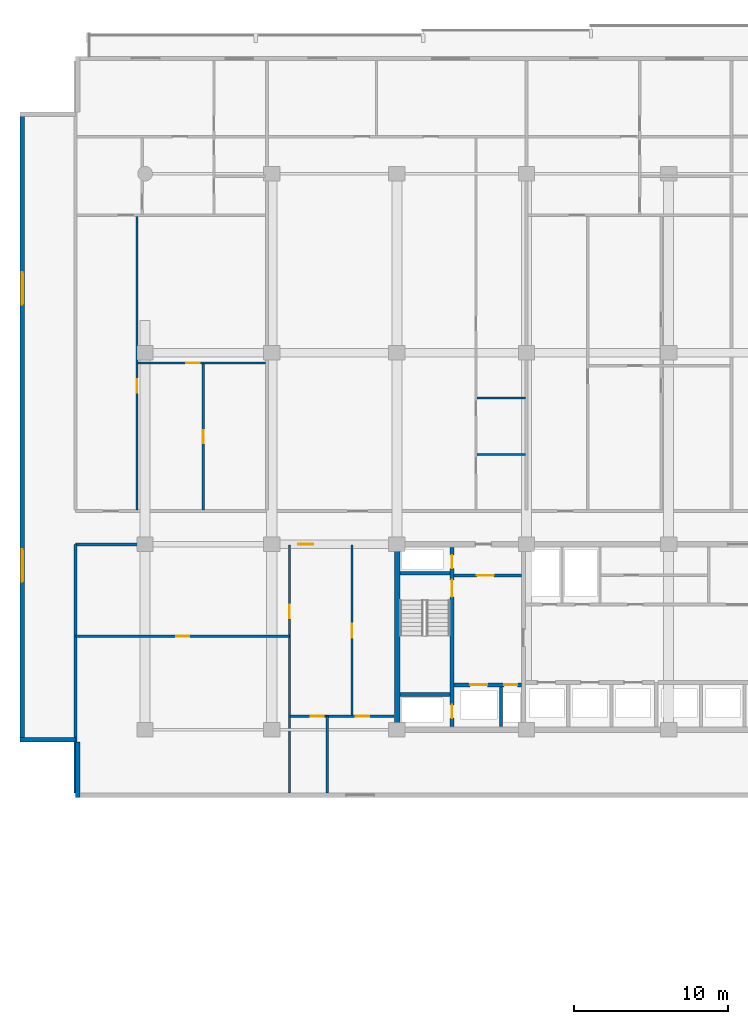
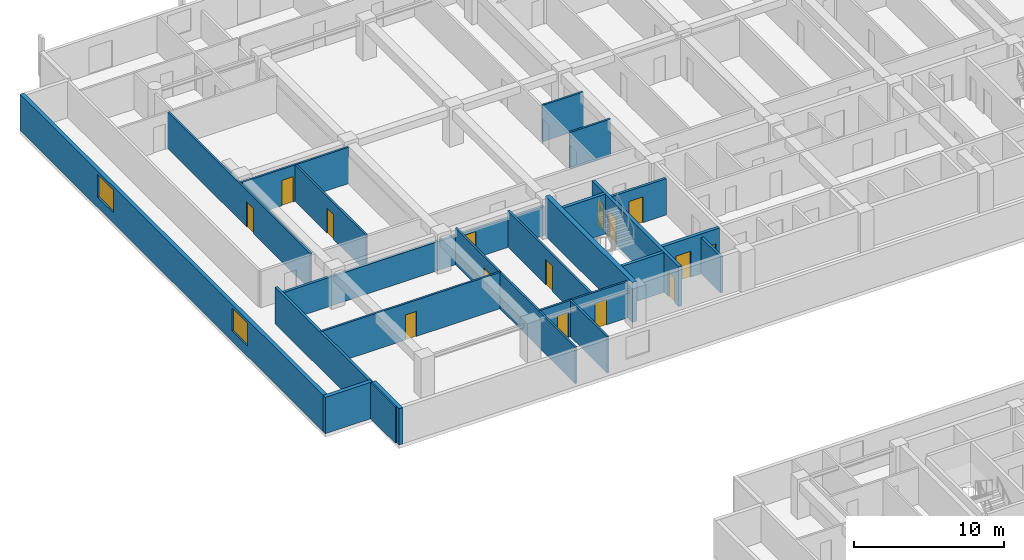
# One storey, part 9 of 23: 22 walls, 15 doors, 2 windows, 17 openings.
"""IFC4 building model written with IfcOpenShell, lengths in metres."""

from ifc_helpers import new_model, si_unit, direction, frame, frame_2d, origin, place, context, subcontext, project, spatial, rectangle, extrude, material, layer, layer_set, type_object, element, fill, save


model = new_model("IFC4")

# Units and contexts
model_context = context("Model", 3, precision=1e-05, world=origin(), true_north=direction((0.0, 1.0)))
body_context = subcontext(model_context, "Body", "Model", "MODEL_VIEW")
ifc_project = project(units=[si_unit("LENGTHUNIT", "METRE"), si_unit("AREAUNIT", "SQUARE_METRE"), si_unit("VOLUMEUNIT", "CUBIC_METRE"), si_unit("PLANEANGLEUNIT", "RADIAN"), si_unit("MASSUNIT", "GRAM", prefix="KILO")], contexts=[model_context])

# Site, building, storey
site_placement = place(None, origin())
site = spatial("IfcSite", under=ifc_project, at=site_placement, CompositionType="ELEMENT")
building_placement = place(site_placement, origin())
building = spatial("IfcBuilding", under=site, at=building_placement, Name="Korimba Cascade Residences", CompositionType="ELEMENT")
storey_placement = place(building_placement, frame((0.0, 0.0, 33.75)))
storey = spatial("IfcBuildingStorey", under=building, at=storey_placement, Name="L08", CompositionType="ELEMENT", Elevation=33.75)

# Wall, openings, windows
ifc_material_1 = material(Name="Precast concrete C40/50", Category="concrete")
ifc_layer_1 = layer(ifc_material_1, 0.300048828125)
ifc_layer_set_1 = layer_set([ifc_layer_1], Name="Precast concrete C40/50")
wall_type_1 = type_object("IfcWallType", Name="EW-STONE-300", PredefinedType="STANDARD", material=ifc_layer_set_1)
wall_1_placement = place(storey_placement, frame((51.85009765625, 95.199951171875, 0.0), z_axis=(0.0, 0.0, 1.0), x_axis=(0.0, -1.0, 0.0)))
wall_1 = element("IfcWall", 1, at=wall_1_placement, inside=storey, type_object=wall_type_1, Name="L08 T1 Perimeter Stone Wall E09", PredefinedType="STANDARD", context=body_context, shape_type="SweptSolid", body=[
    extrude(rectangle(XDim=40.800048828125, YDim=0.300048828125, at=frame_2d((20.39990234375, 0.0))), origin(), (0.0, 0.0, 1.0), 2.969970703125),
])
opening_1_placement = place(wall_1_placement, frame((10.3740234375, 0.0, 0.85009765625)))
opening_1 = element("IfcOpeningElement", 2, at=opening_1_placement, cuts=wall_1, Name="Opening W-03", PredefinedType="OPENING", context=body_context, shape_type="SweptSolid", body=[
    extrude(rectangle(XDim=2.10009765625, YDim=1.85009765625, at=frame_2d((1.050048828125, 0.925048828125))), frame((0.0, 0.16015625, 0.0), z_axis=(0.0, -1.0, 0.0), x_axis=(1.0, 0.0, 0.0)), (0.0, 0.0, 1.0), 0.320068359375),
])
opening_2_placement = place(wall_1_placement, frame((28.325927734375, 0.0, 0.85009765625)))
opening_2 = element("IfcOpeningElement", 3, at=opening_2_placement, cuts=wall_1, Name="Opening W-03", PredefinedType="OPENING", context=body_context, shape_type="SweptSolid", body=[
    extrude(rectangle(XDim=2.10009765625, YDim=1.85009765625, at=frame_2d((1.050048828125, 0.925048828125))), frame((0.0, 0.16015625, 0.0), z_axis=(0.0, -1.0, 0.0), x_axis=(1.0, 0.0, 0.0)), (0.0, 0.0, 1.0), 0.320068359375),
])
ifc_material_2 = material(Name="Double-Glazed Aluminium Window", Category="aluminium")
window_type = type_object("IfcWindowType", Name="WIN-CRN-2100", PartitioningType="DOUBLE_PANEL_HORIZONTAL", PredefinedType="WINDOW", material=ifc_material_2)
window_1_placement = place(opening_1_placement, origin())
window_1 = element("IfcWindow", 4, at=window_1_placement, inside=storey, type_object=window_type, Name="L08 T1 End View Window 9.1", OverallHeight=1.85009765625, OverallWidth=2.10009765625, PartitioningType="DOUBLE_PANEL_HORIZONTAL", PredefinedType="WINDOW", context=body_context, shape_type="SweptSolid", body=[
    extrude(rectangle(XDim=2.10009765625, YDim=1.85009765625, at=frame_2d((1.050048828125, 0.925048828125))), frame((0.0, 0.030029296875, 0.0), z_axis=(0.0, -1.0, 0.0), x_axis=(1.0, 0.0, 0.0)), (0.0, 0.0, 1.0), 0.06005859375),
])
fill(opening_1, window_1)
window_2_placement = place(opening_2_placement, origin())
window_2 = element("IfcWindow", 5, at=window_2_placement, inside=storey, type_object=window_type, Name="L08 T1 End View Window 9.2", OverallHeight=1.85009765625, OverallWidth=2.10009765625, PartitioningType="DOUBLE_PANEL_HORIZONTAL", PredefinedType="WINDOW", context=body_context, shape_type="SweptSolid", body=[
    extrude(rectangle(XDim=2.10009765625, YDim=1.85009765625, at=frame_2d((1.050048828125, 0.925048828125))), frame((0.0, 0.030029296875, 0.0), z_axis=(0.0, -1.0, 0.0), x_axis=(1.0, 0.0, 0.0)), (0.0, 0.0, 1.0), 0.06005859375),
])
fill(opening_2, window_2)

# Walls
wall_2_placement = place(storey_placement, frame((51.699951171875, 54.550048828125, 0.0), z_axis=(0.0, 0.0, 1.0), x_axis=(1.0, 0.0, 0.0)))
element("IfcWall", 6, at=wall_2_placement, inside=storey, type_object=wall_type_1, Name="L08 T1 Perimeter Stone Wall E10", PredefinedType="STANDARD", context=body_context, shape_type="SweptSolid", body=[
    extrude(rectangle(XDim=3.60009765625, YDim=0.300048828125, at=frame_2d((1.800048828125, 0.0))), origin(), (0.0, 0.0, 1.0), 2.969970703125),
])
wall_3_placement = place(storey_placement, frame((55.449951171875, 54.39990234375, 0.0), z_axis=(0.0, 0.0, 1.0), x_axis=(0.0, -1.0, 0.0)))
element("IfcWall", 7, at=wall_3_placement, inside=storey, type_object=wall_type_1, Name="L08 T1 Perimeter Stone Wall E11", PredefinedType="STANDARD", context=body_context, shape_type="SweptSolid", body=[
    extrude(rectangle(XDim=3.599853515625, YDim=0.300048828125, at=frame_2d((1.7998046875, 0.0))), origin(), (0.0, 0.0, 1.0), 2.969970703125),
])
ifc_material_3 = material(Name="Concrete C65/80", Category="concrete")
ifc_layer_2 = layer(ifc_material_3, 0.35009765625)
ifc_layer_set_2 = layer_set([ifc_layer_2], Name="Concrete C65/80")
wall_type_2 = type_object("IfcWallType", Name="WAL-CORE-350", PredefinedType="SHEAR", material=ifc_layer_set_2)
wall_4_placement = place(storey_placement, frame((76.125, 55.375, 0.0), z_axis=(0.0, 0.0, 1.0), x_axis=(0.0, 1.0, 0.0)))
element("IfcWall", 8, at=wall_4_placement, inside=storey, type_object=wall_type_2, Name="L08 Core Shear Wall CW-L08-T1-W", PredefinedType="SHEAR", context=body_context, shape_type="SweptSolid", body=[
    extrude(rectangle(XDim=11.64990234375, YDim=0.35009765625, at=frame_2d((5.824951171875, 0.0))), origin(), (0.0, 0.0, 1.0), 3.25),
])
ifc_layer_3 = layer(ifc_material_1, 0.199951171875)
ifc_layer_set_3 = layer_set([ifc_layer_3], Name="Precast concrete C40/50")
wall_type_3 = type_object("IfcWallType", Name="WAL-IT-200", PredefinedType="PARTITIONING", material=ifc_layer_set_3)
wall_5_placement = place(storey_placement, frame((55.300048828125, 51.10009765625, 0.0), z_axis=(0.0, 0.0, 1.0), x_axis=(0.0, 1.0, 0.0)))
element("IfcWall", 9, at=wall_5_placement, inside=storey, type_object=wall_type_3, Name="L08 Partition Wall WAL-L08-T1-FW-WL", PredefinedType="PARTITIONING", context=body_context, shape_type="SweptSolid", body=[
    extrude(rectangle(XDim=16.099853515625, YDim=0.199951171875, at=frame_2d((8.0498046875, 0.0))), origin(), (0.0, 0.0, 1.0), 2.969970703125),
])

# Wall, opening, door
wall_6_placement = place(storey_placement, frame((55.300048828125, 67.199951171875, 0.0), z_axis=(0.0, 0.0, 1.0), x_axis=(1.0, 0.0, 0.0)))
wall_6 = element("IfcWall", 10, at=wall_6_placement, inside=storey, type_object=wall_type_3, Name="L08 Partition Wall WAL-L08-T1-FW-N", PredefinedType="PARTITIONING", context=body_context, shape_type="SweptSolid", body=[
    extrude(rectangle(XDim=20.64990234375, YDim=0.199951171875, at=frame_2d((10.324951171875, 0.0))), origin(), (0.0, 0.0, 1.0), 2.3701171875),
])
opening_3_placement = place(wall_6_placement, frame((14.426025390625, 0.0, 0.0)))
opening_3 = element("IfcOpeningElement", 11, at=opening_3_placement, cuts=wall_6, Name="Opening D-UN1", PredefinedType="OPENING", context=body_context, shape_type="SweptSolid", body=[
    extrude(rectangle(XDim=0.949951171875, YDim=2.14990234375, at=frame_2d((0.47509765625, 1.074951171875))), frame((0.0, 0.10986328125, 0.0), z_axis=(0.0, -1.0, 0.0), x_axis=(1.0, 0.0, 0.0)), (0.0, 0.0, 1.0), 0.219970703125),
])
ifc_material_4 = material(Name="Fire-Rated Hardwood Apartment Entrance Door", Category="wood")
door_type_1 = type_object("IfcDoorType", Name="DR-FD60-950", OperationType="NOTDEFINED", PredefinedType="DOOR", material=ifc_material_4)
door_1_placement = place(opening_3_placement, origin())
door_1 = element("IfcDoor", 12, at=door_1_placement, inside=storey, type_object=door_type_1, Name="L08-T1-FW Entrance Door", OperationType="SINGLE_SWING_RIGHT", OverallHeight=2.14990234375, OverallWidth=0.949951171875, PredefinedType="DOOR", context=body_context, shape_type="SweptSolid", body=[
    extrude(rectangle(XDim=0.949951171875, YDim=2.14990234375, at=frame_2d((0.47509765625, 1.074951171875))), frame((0.0, 0.02490234375, 0.0), z_axis=(0.0, -1.0, 0.0), x_axis=(1.0, 0.0, 0.0)), (0.0, 0.0, 1.0), 0.050048828125),
])
fill(opening_3, door_1)

ifc_material_5 = material(Name="Insulated Acoustic Stud Partition", Category="gypsum")
ifc_layer_4 = layer(ifc_material_5, 0.14990234375)
ifc_layer_set_4 = layer_set([ifc_layer_4], Name="Insulated Acoustic Stud Partition")
wall_type_4 = type_object("IfcWallType", Name="WAL-PART-150", PredefinedType="PARTITIONING", material=ifc_layer_set_4)
wall_7_placement = place(storey_placement, frame((55.300048828125, 61.25, 0.0), z_axis=(0.0, 0.0, 1.0), x_axis=(1.0, 0.0, 0.0)))
wall_7 = element("IfcWall", 13, at=wall_7_placement, inside=storey, type_object=wall_type_4, Name="L08 Partition Wall WAL-L08-T1-FW-STH", PredefinedType="PARTITIONING", context=body_context, shape_type="SweptSolid", body=[
    extrude(rectangle(XDim=13.849853515625, YDim=0.14990234375, at=frame_2d((6.9248046875, 0.0))), origin(), (0.0, 0.0, 1.0), 2.969970703125),
])
opening_4_placement = place(wall_7_placement, frame((6.5048828125, 0.0, 0.0)))
opening_4 = element("IfcOpeningElement", 14, at=opening_4_placement, cuts=wall_7, Name="Opening D-BT1", PredefinedType="OPENING", context=body_context, shape_type="SweptSolid", body=[
    extrude(rectangle(XDim=0.840087890625, YDim=2.0400390625, at=frame_2d((0.419921875, 1.02001953125))), frame((0.0, 0.0849609375, 0.0), z_axis=(0.0, -1.0, 0.0), x_axis=(1.0, 0.0, 0.0)), (0.0, 0.0, 1.0), 0.169921875),
])
ifc_material_6 = material(Name="Moisture-Resistant Bathroom Timber Door", Category="wood")
door_type_2 = type_object("IfcDoorType", Name="DR-INT-850", OperationType="NOTDEFINED", PredefinedType="DOOR", material=ifc_material_6)
door_2_placement = place(opening_4_placement, origin())
door_2 = element("IfcDoor", 15, at=door_2_placement, inside=storey, type_object=door_type_2, Name="L08-T1-FW Dressing Store Door", OperationType="SINGLE_SWING_LEFT", OverallHeight=2.0400390625, OverallWidth=0.840087890625, PredefinedType="DOOR", context=body_context, shape_type="SweptSolid", body=[
    extrude(rectangle(XDim=0.840087890625, YDim=2.0400390625, at=frame_2d((0.419921875, 1.02001953125))), frame((0.0, 0.02490234375, 0.0), z_axis=(0.0, -1.0, 0.0), x_axis=(1.0, 0.0, 0.0)), (0.0, 0.0, 1.0), 0.050048828125),
])
fill(opening_4, door_2)

wall_8_placement = place(storey_placement, frame((69.14990234375, 51.10009765625, 0.0), z_axis=(0.0, 0.0, 1.0), x_axis=(0.0, 1.0, 0.0)))
wall_8 = element("IfcWall", 16, at=wall_8_placement, inside=storey, type_object=wall_type_4, Name="L08 Partition Wall WAL-L08-T1-FW-STV", PredefinedType="PARTITIONING", context=body_context, shape_type="SweptSolid", body=[
    extrude(rectangle(XDim=16.0498046875, YDim=0.14990234375, at=frame_2d((8.02490234375, 0.0))), origin(), (0.0, 0.0, 1.0), 2.969970703125),
])
opening_5_placement = place(wall_8_placement, frame((11.300048828125, 0.0, 0.0)))
opening_5 = element("IfcOpeningElement", 17, at=opening_5_placement, cuts=wall_8, Name="Opening D-IN2", PredefinedType="OPENING", context=body_context, shape_type="SweptSolid", body=[
    extrude(rectangle(XDim=0.8798828125, YDim=2.06005859375, at=frame_2d((0.43994140625, 1.030029296875))), frame((0.0, 0.0849609375, 0.0), z_axis=(0.0, -1.0, 0.0), x_axis=(1.0, 0.0, 0.0)), (0.0, 0.0, 1.0), 0.169921875),
])
ifc_material_7 = material(Name="Acoustic Timber Bedroom Door", Category="wood")
door_type_3 = type_object("IfcDoorType", Name="DR-INT-880", OperationType="NOTDEFINED", PredefinedType="DOOR", material=ifc_material_7)
door_3_placement = place(opening_5_placement, origin())
door_3 = element("IfcDoor", 18, at=door_3_placement, inside=storey, type_object=door_type_3, Name="L08-T1-FW Study Door", OperationType="SINGLE_SWING_RIGHT", OverallHeight=2.06005859375, OverallWidth=0.8798828125, PredefinedType="DOOR", context=body_context, shape_type="SweptSolid", body=[
    extrude(rectangle(XDim=0.8798828125, YDim=2.06005859375, at=frame_2d((0.43994140625, 1.030029296875))), frame((0.0, 0.02490234375, 0.0), z_axis=(0.0, -1.0, 0.0), x_axis=(1.0, 0.0, 0.0)), (0.0, 0.0, 1.0), 0.050048828125),
])
fill(opening_5, door_3)

wall_9_placement = place(storey_placement, frame((73.199951171875, 56.070068359375, 0.0), z_axis=(0.0, 0.0, 1.0), x_axis=(0.0, 1.0, 0.0)))
wall_9 = element("IfcWall", 19, at=wall_9_placement, inside=storey, type_object=wall_type_4, Name="L08 Partition Wall WAL-L08-T1-FW-VN", PredefinedType="PARTITIONING", context=body_context, shape_type="SweptSolid", body=[
    extrude(rectangle(XDim=11.079833984375, YDim=0.14990234375, at=frame_2d((5.5400390625, 0.0))), origin(), (0.0, 0.0, 1.0), 2.969970703125),
])
opening_6_placement = place(wall_9_placement, frame((5.080078125, 0.0, 0.0)))
opening_6 = element("IfcOpeningElement", 20, at=opening_6_placement, cuts=wall_9, Name="Opening D-IN1", PredefinedType="OPENING", context=body_context, shape_type="SweptSolid", body=[
    extrude(rectangle(XDim=0.919921875, YDim=2.080078125, at=frame_2d((0.4599609375, 1.0400390625))), frame((0.0, 0.0849609375, 0.0), z_axis=(0.0, -1.0, 0.0), x_axis=(1.0, 0.0, 0.0)), (0.0, 0.0, 1.0), 0.169921875),
])
ifc_material_8 = material(Name="Acoustic Timber Living Door", Category="wood")
door_type_4 = type_object("IfcDoorType", Name="DR-INT-920", OperationType="NOTDEFINED", PredefinedType="DOOR", material=ifc_material_8)
door_4_placement = place(opening_6_placement, origin())
door_4 = element("IfcDoor", 21, at=door_4_placement, inside=storey, type_object=door_type_4, Name="L08-T1-FW Living Door", OperationType="SINGLE_SWING_LEFT", OverallHeight=2.080078125, OverallWidth=0.919921875, PredefinedType="DOOR", context=body_context, shape_type="SweptSolid", body=[
    extrude(rectangle(XDim=0.919921875, YDim=2.080078125, at=frame_2d((0.4599609375, 1.0400390625))), frame((0.0, 0.02490234375, 0.0), z_axis=(0.0, -1.0, 0.0), x_axis=(1.0, 0.0, 0.0)), (0.0, 0.0, 1.0), 0.050048828125),
])
fill(opening_6, door_4)

# Wall
wall_10_placement = place(storey_placement, frame((71.60009765625, 51.10009765625, 0.0), z_axis=(0.0, 0.0, 1.0), x_axis=(0.0, 1.0, 0.0)))
element("IfcWall", 22, at=wall_10_placement, inside=storey, type_object=wall_type_4, Name="L08 Partition Wall WAL-L08-T1-FW-VS", PredefinedType="PARTITIONING", context=body_context, shape_type="SweptSolid", body=[
    extrude(rectangle(XDim=4.969970703125, YDim=0.14990234375, at=frame_2d((2.48486328125, 0.0))), origin(), (0.0, 0.0, 1.0), 2.969970703125),
])

# Wall, openings, doors
wall_11_placement = place(storey_placement, frame((69.169921875, 56.070068359375, 0.0), z_axis=(0.0, 0.0, 1.0), x_axis=(1.0, 0.0, 0.0)))
wall_11 = element("IfcWall", 23, at=wall_11_placement, inside=storey, type_object=wall_type_4, Name="L08 Partition Wall WAL-L08-T1-FW-H", PredefinedType="PARTITIONING", context=body_context, shape_type="SweptSolid", body=[
    extrude(rectangle(XDim=6.760009765625, YDim=0.14990234375, at=frame_2d((3.3798828125, 0.0))), origin(), (0.0, 0.0, 1.0), 2.969970703125),
])
opening_7_placement = place(wall_11_placement, frame((1.3623046875, 0.0, 0.0)))
opening_7 = element("IfcOpeningElement", 24, at=opening_7_placement, cuts=wall_11, Name="Opening D-BT1", PredefinedType="OPENING", context=body_context, shape_type="SweptSolid", body=[
    extrude(rectangle(XDim=0.840087890625, YDim=2.0400390625, at=frame_2d((0.419921875, 1.02001953125))), frame((0.0, 0.0849609375, 0.0), z_axis=(0.0, -1.0, 0.0), x_axis=(1.0, 0.0, 0.0)), (0.0, 0.0, 1.0), 0.169921875),
])
opening_8_placement = place(wall_11_placement, frame((4.276611328125, 0.0, 0.0)))
opening_8 = element("IfcOpeningElement", 25, at=opening_8_placement, cuts=wall_11, Name="Opening D-IN2", PredefinedType="OPENING", context=body_context, shape_type="SweptSolid", body=[
    extrude(rectangle(XDim=0.8798828125, YDim=2.06005859375, at=frame_2d((0.43994140625, 1.030029296875))), frame((0.0, 0.0849609375, 0.0), z_axis=(0.0, -1.0, 0.0), x_axis=(1.0, 0.0, 0.0)), (0.0, 0.0, 1.0), 0.169921875),
])
door_5_placement = place(opening_7_placement, origin())
door_5 = element("IfcDoor", 26, at=door_5_placement, inside=storey, type_object=door_type_2, Name="L08-T1-FW Bathroom Door", OperationType="SINGLE_SWING_RIGHT", OverallHeight=2.0400390625, OverallWidth=0.840087890625, PredefinedType="DOOR", context=body_context, shape_type="SweptSolid", body=[
    extrude(rectangle(XDim=0.840087890625, YDim=2.0400390625, at=frame_2d((0.419921875, 1.02001953125))), frame((0.0, 0.02490234375, 0.0), z_axis=(0.0, -1.0, 0.0), x_axis=(1.0, 0.0, 0.0)), (0.0, 0.0, 1.0), 0.050048828125),
])
fill(opening_7, door_5)
door_6_placement = place(opening_8_placement, origin())
door_6 = element("IfcDoor", 27, at=door_6_placement, inside=storey, type_object=door_type_3, Name="L08-T1-FW Bedroom Door", OperationType="SINGLE_SWING_LEFT", OverallHeight=2.06005859375, OverallWidth=0.8798828125, PredefinedType="DOOR", context=body_context, shape_type="SweptSolid", body=[
    extrude(rectangle(XDim=0.8798828125, YDim=2.06005859375, at=frame_2d((0.43994140625, 1.030029296875))), frame((0.0, 0.02490234375, 0.0), z_axis=(0.0, -1.0, 0.0), x_axis=(1.0, 0.0, 0.0)), (0.0, 0.0, 1.0), 0.050048828125),
])
fill(opening_8, door_6)

# Wall, opening, door
wall_12_placement = place(storey_placement, frame((63.565185546875, 69.409912109375, 0.0), z_axis=(0.0, 0.0, 1.0), x_axis=(0.0, 1.0, 0.0)))
wall_12 = element("IfcWall", 28, at=wall_12_placement, inside=storey, type_object=wall_type_4, Name="L08 Partition Wall WAL-L08-T1-U01-FMV", PredefinedType="PARTITIONING", context=body_context, shape_type="SweptSolid", body=[
    extrude(rectangle(XDim=9.525146484375, YDim=0.14990234375, at=frame_2d((4.7626953125, 0.0))), origin(), (0.0, 0.0, 1.0), 2.969970703125),
])
opening_9_placement = place(wall_12_placement, frame((4.342529296875, 0.0, 0.0)))
opening_9 = element("IfcOpeningElement", 29, at=opening_9_placement, cuts=wall_12, Name="Opening D-BT1", PredefinedType="OPENING", context=body_context, shape_type="SweptSolid", body=[
    extrude(rectangle(XDim=0.840087890625, YDim=2.0400390625, at=frame_2d((0.419921875, 1.02001953125))), frame((0.0, 0.0849609375, 0.0), z_axis=(0.0, -1.0, 0.0), x_axis=(1.0, 0.0, 0.0)), (0.0, 0.0, 1.0), 0.169921875),
])
door_7_placement = place(opening_9_placement, origin())
door_7 = element("IfcDoor", 30, at=door_7_placement, inside=storey, type_object=door_type_2, Name="L08-T1-U01 Wardrobe Door", OperationType="SINGLE_SWING_LEFT", OverallHeight=2.0400390625, OverallWidth=0.840087890625, PredefinedType="DOOR", context=body_context, shape_type="SweptSolid", body=[
    extrude(rectangle(XDim=0.840087890625, YDim=2.0400390625, at=frame_2d((0.419921875, 1.02001953125))), frame((0.0, 0.02490234375, 0.0), z_axis=(0.0, -1.0, 0.0), x_axis=(1.0, 0.0, 0.0)), (0.0, 0.0, 1.0), 0.050048828125),
])
fill(opening_9, door_7)

wall_13_placement = place(storey_placement, frame((59.330078125, 78.93505859375, 0.0), z_axis=(0.0, 0.0, 1.0), x_axis=(1.0, 0.0, 0.0)))
wall_13 = element("IfcWall", 31, at=wall_13_placement, inside=storey, type_object=wall_type_4, Name="L08 Partition Wall WAL-L08-T1-U01-FMH", PredefinedType="PARTITIONING", context=body_context, shape_type="SweptSolid", body=[
    extrude(rectangle(XDim=8.27001953125, YDim=0.14990234375, at=frame_2d((4.135009765625, 0.0))), origin(), (0.0, 0.0, 1.0), 2.969970703125),
])
opening_10_placement = place(wall_13_placement, frame((3.135009765625, 0.0, 0.0)))
opening_10 = element("IfcOpeningElement", 32, at=opening_10_placement, cuts=wall_13, Name="Opening D-IN2", PredefinedType="OPENING", context=body_context, shape_type="SweptSolid", body=[
    extrude(rectangle(XDim=0.8798828125, YDim=2.06005859375, at=frame_2d((0.43994140625, 1.030029296875))), frame((0.0, 0.0849609375, 0.0), z_axis=(0.0, -1.0, 0.0), x_axis=(1.0, 0.0, 0.0)), (0.0, 0.0, 1.0), 0.169921875),
])
door_8_placement = place(opening_10_placement, origin())
door_8 = element("IfcDoor", 33, at=door_8_placement, inside=storey, type_object=door_type_3, Name="L08-T1-U01 Library Salon Door", OperationType="SINGLE_SWING_RIGHT", OverallHeight=2.06005859375, OverallWidth=0.8798828125, PredefinedType="DOOR", context=body_context, shape_type="SweptSolid", body=[
    extrude(rectangle(XDim=0.8798828125, YDim=2.06005859375, at=frame_2d((0.43994140625, 1.030029296875))), frame((0.0, 0.02490234375, 0.0), z_axis=(0.0, -1.0, 0.0), x_axis=(1.0, 0.0, 0.0)), (0.0, 0.0, 1.0), 0.050048828125),
])
fill(opening_10, door_8)

wall_14_placement = place(storey_placement, frame((59.27001953125, 69.409912109375, 0.0), z_axis=(0.0, 0.0, 1.0), x_axis=(0.0, 1.0, 0.0)))
wall_14 = element("IfcWall", 34, at=wall_14_placement, inside=storey, type_object=wall_type_4, Name="L08 Partition Wall WAL-L08-T1-U01-FV", PredefinedType="PARTITIONING", context=body_context, shape_type="SweptSolid", body=[
    extrude(rectangle(XDim=19.050048828125, YDim=0.14990234375, at=frame_2d((9.52490234375, 0.0))), origin(), (0.0, 0.0, 1.0), 2.969970703125),
])
opening_11_placement = place(wall_14_placement, frame((7.590576171875, 0.0, 0.0)))
opening_11 = element("IfcOpeningElement", 35, at=opening_11_placement, cuts=wall_14, Name="Opening D-IN2", PredefinedType="OPENING", context=body_context, shape_type="SweptSolid", body=[
    extrude(rectangle(XDim=0.8798828125, YDim=2.06005859375, at=frame_2d((0.43994140625, 1.030029296875))), frame((0.0, 0.0849609375, 0.0), z_axis=(0.0, -1.0, 0.0), x_axis=(1.0, 0.0, 0.0)), (0.0, 0.0, 1.0), 0.169921875),
])
door_9_placement = place(opening_11_placement, origin())
door_9 = element("IfcDoor", 36, at=door_9_placement, inside=storey, type_object=door_type_3, Name="L08-T1-U01 Media Lounge Door", OperationType="SINGLE_SWING_LEFT", OverallHeight=2.06005859375, OverallWidth=0.8798828125, PredefinedType="DOOR", context=body_context, shape_type="SweptSolid", body=[
    extrude(rectangle(XDim=0.8798828125, YDim=2.06005859375, at=frame_2d((0.43994140625, 1.030029296875))), frame((0.0, 0.02490234375, 0.0), z_axis=(0.0, -1.0, 0.0), x_axis=(1.0, 0.0, 0.0)), (0.0, 0.0, 1.0), 0.050048828125),
])
fill(opening_11, door_9)

# Walls
for number, where, z_axis, x_axis, name in (
    (37, (81.289306640625, 73.02001953125, 0.0), (0.0, 0.0, 1.0), (1.0, 0.0, 0.0), "L08 Partition Wall WAL-L08-T1-U02-WCH"),
    (38, (81.289306640625, 76.669921875, 0.0), (0.0, 0.0, 1.0), (1.0, 0.0, 0.0), "L08 Partition Wall WAL-L08-T1-U02-WCH2"),
):
    element("IfcWall", number, at=place(storey_placement, frame(where, z_axis=z_axis, x_axis=x_axis)), inside=storey, type_object=wall_type_4, Name=name, PredefinedType="PARTITIONING", context=body_context, shape_type="SweptSolid", body=[
        extrude(rectangle(XDim=3.130126953125, YDim=0.14990234375, at=frame_2d((1.56494140625, 0.0))), origin(), (0.0, 0.0, 1.0), 2.969970703125),
    ])
ifc_material_9 = material(Name="Concrete C40/50", Category="concrete")
ifc_layer_5 = layer(ifc_material_9, 0.199951171875)
ifc_layer_set_5 = layer_set([ifc_layer_5], Name="Concrete C40/50")
wall_type_5 = type_object("IfcWallType", Name="WAL-PART-200", PredefinedType="PARTITIONING", material=ifc_layer_set_5)
wall_15_placement = place(storey_placement, frame((82.85009765625, 55.39990234375, 0.0), z_axis=(0.0, 0.0, 1.0), x_axis=(0.0, 1.0, 0.0)))
element("IfcWall", 39, at=wall_15_placement, inside=storey, type_object=wall_type_5, Name="L08 Partition Wall CW-L08-T1-FFLDIV", PredefinedType="PARTITIONING", context=body_context, shape_type="SweptSolid", body=[
    extrude(rectangle(XDim=2.56005859375, YDim=0.199951171875, at=frame_2d((1.280029296875, 0.0))), origin(), (0.0, 0.0, 1.0), 2.969970703125),
])

# Wall, opening, door
wall_16_placement = place(storey_placement, frame((79.7900390625, 65.179931640625, 0.0), z_axis=(0.0, 0.0, 1.0), x_axis=(1.0, 0.0, 0.0)))
wall_16 = element("IfcWall", 40, at=wall_16_placement, inside=storey, type_object=wall_type_5, Name="L08 Partition Wall CW-L08-T1-FFLN", PredefinedType="PARTITIONING", context=body_context, shape_type="SweptSolid", body=[
    extrude(rectangle(XDim=4.389892578125, YDim=0.199951171875, at=frame_2d((2.19482421875, 0.0))), origin(), (0.0, 0.0, 1.0), 2.969970703125),
])
opening_12_placement = place(wall_16_placement, frame((1.5, 0.0, 0.0)))
opening_12 = element("IfcOpeningElement", 41, at=opening_12_placement, cuts=wall_16, Name="Opening D-FD1", PredefinedType="OPENING", context=body_context, shape_type="SweptSolid", body=[
    extrude(rectangle(XDim=1.10009765625, YDim=2.10009765625, at=frame_2d((0.550048828125, 1.050048828125))), frame((0.0, 0.10986328125, 0.0), z_axis=(0.0, -1.0, 0.0), x_axis=(1.0, 0.0, 0.0)), (0.0, 0.0, 1.0), 0.219970703125),
])
ifc_material_10 = material(Name="Fire-Rated Steel Core Door", Category="steel")
door_type_5 = type_object("IfcDoorType", Name="DR-FD120-1100", OperationType="NOTDEFINED", PredefinedType="DOOR", material=ifc_material_10)
door_10_placement = place(opening_12_placement, origin())
door_10 = element("IfcDoor", 42, at=door_10_placement, inside=storey, type_object=door_type_5, Name="L08 West Firefighting Lobby Door", OperationType="SINGLE_SWING_RIGHT", OverallHeight=2.10009765625, OverallWidth=1.10009765625, PredefinedType="DOOR", context=body_context, shape_type="SweptSolid", body=[
    extrude(rectangle(XDim=1.10009765625, YDim=2.10009765625, at=frame_2d((0.550048828125, 1.050048828125))), frame((0.0, 0.02490234375, 0.0), z_axis=(0.0, -1.0, 0.0), x_axis=(1.0, 0.0, 0.0)), (0.0, 0.0, 1.0), 0.050048828125),
])
fill(opening_12, door_10)

# Wall, openings, doors
ifc_material_11 = material(Name="Concrete C50/60", Category="concrete")
ifc_layer_6 = layer(ifc_material_11, 0.25)
ifc_layer_set_6 = layer_set([ifc_layer_6], Name="Concrete C50/60")
wall_type_6 = type_object("IfcWallType", Name="WAL-SHAFT-250", PredefinedType="SHEAR", material=ifc_layer_set_6)
wall_17_placement = place(storey_placement, frame((79.6650390625, 55.39990234375, 0.0), z_axis=(0.0, 0.0, 1.0), x_axis=(0.0, 1.0, 0.0)))
wall_17 = element("IfcWall", 43, at=wall_17_placement, inside=storey, type_object=wall_type_6, Name="L08 Core Shear Wall CW-L08-T1-STW1E", PredefinedType="SHEAR", context=body_context, shape_type="SweptSolid", body=[
    extrude(rectangle(XDim=11.60009765625, YDim=0.25, at=frame_2d((5.800048828125, 0.0))), origin(), (0.0, 0.0, 1.0), 3.25),
])
opening_13_placement = place(wall_17_placement, frame((0.550048828125, 0.0, 0.0)))
opening_13 = element("IfcOpeningElement", 44, at=opening_13_placement, cuts=wall_17, Name="Opening D-RS1", PredefinedType="OPENING", context=body_context, shape_type="SweptSolid", body=[
    extrude(rectangle(XDim=0.85009765625, YDim=2.050048828125, at=frame_2d((0.425048828125, 1.02490234375))), frame((0.0, 0.135009765625, 0.0), z_axis=(0.0, -1.0, 0.0), x_axis=(1.0, 0.0, 0.0)), (0.0, 0.0, 1.0), 0.27001953125),
])
opening_14_placement = place(wall_17_placement, frame((8.39990234375, 0.0, 0.0)))
opening_14 = element("IfcOpeningElement", 45, at=opening_14_placement, cuts=wall_17, Name="Opening D-FD1", PredefinedType="OPENING", context=body_context, shape_type="SweptSolid", body=[
    extrude(rectangle(XDim=1.10009765625, YDim=2.10009765625, at=frame_2d((0.550048828125, 1.050048828125))), frame((0.0, 0.135009765625, 0.0), z_axis=(0.0, -1.0, 0.0), x_axis=(1.0, 0.0, 0.0)), (0.0, 0.0, 1.0), 0.27001953125),
])
opening_15_placement = place(wall_17_placement, frame((10.25, 0.0, 0.0)))
opening_15 = element("IfcOpeningElement", 46, at=opening_15_placement, cuts=wall_17, Name="Opening D-RS1", PredefinedType="OPENING", context=body_context, shape_type="SweptSolid", body=[
    extrude(rectangle(XDim=0.85009765625, YDim=2.050048828125, at=frame_2d((0.425048828125, 1.02490234375))), frame((0.0, 0.135009765625, 0.0), z_axis=(0.0, -1.0, 0.0), x_axis=(1.0, 0.0, 0.0)), (0.0, 0.0, 1.0), 0.27001953125),
])
door_11_placement = place(opening_14_placement, origin())
door_11 = element("IfcDoor", 47, at=door_11_placement, inside=storey, type_object=door_type_5, Name="L08 Fire Stair ST-W1 Door", OperationType="SINGLE_SWING_LEFT", OverallHeight=2.10009765625, OverallWidth=1.10009765625, PredefinedType="DOOR", context=body_context, shape_type="SweptSolid", body=[
    extrude(rectangle(XDim=1.10009765625, YDim=2.10009765625, at=frame_2d((0.550048828125, 1.050048828125))), frame((0.0, 0.02490234375, 0.0), z_axis=(0.0, -1.0, 0.0), x_axis=(1.0, 0.0, 0.0)), (0.0, 0.0, 1.0), 0.050048828125),
])
fill(opening_14, door_11)
ifc_material_12 = material(Name="Fire-Rated Steel Riser Access Door", Category="steel")
door_type_6 = type_object("IfcDoorType", Name="DR-FD60-850", OperationType="NOTDEFINED", PredefinedType="DOOR", material=ifc_material_12)
door_12_placement = place(opening_13_placement, origin())
door_12 = element("IfcDoor", 48, at=door_12_placement, inside=storey, type_object=door_type_6, Name="L08 Smoke Riser Access Door", OperationType="SINGLE_SWING_RIGHT", OverallHeight=2.050048828125, OverallWidth=0.85009765625, PredefinedType="DOOR", context=body_context, shape_type="SweptSolid", body=[
    extrude(rectangle(XDim=0.85009765625, YDim=2.050048828125, at=frame_2d((0.425048828125, 1.02490234375))), frame((0.0, 0.02490234375, 0.0), z_axis=(0.0, -1.0, 0.0), x_axis=(1.0, 0.0, 0.0)), (0.0, 0.0, 1.0), 0.050048828125),
])
fill(opening_13, door_12)
door_13_placement = place(opening_15_placement, origin())
door_13 = element("IfcDoor", 49, at=door_13_placement, inside=storey, type_object=door_type_6, Name="L08 Hydrant Riser Access Door", OperationType="SINGLE_SWING_RIGHT", OverallHeight=2.050048828125, OverallWidth=0.85009765625, PredefinedType="DOOR", context=body_context, shape_type="SweptSolid", body=[
    extrude(rectangle(XDim=0.85009765625, YDim=2.050048828125, at=frame_2d((0.425048828125, 1.02490234375))), frame((0.0, 0.02490234375, 0.0), z_axis=(0.0, -1.0, 0.0), x_axis=(1.0, 0.0, 0.0)), (0.0, 0.0, 1.0), 0.050048828125),
])
fill(opening_15, door_13)

# Walls
for number, where, z_axis, x_axis, name in (
    (50, (76.300048828125, 57.47509765625, 0.0), (0.0, 0.0, 1.0), (1.0, 0.0, 0.0), "L08 Core Shear Wall CW-L08-T1-STW1S"),
    (51, (76.300048828125, 65.324951171875, 0.0), (0.0, 0.0, 1.0), (1.0, 0.0, 0.0), "L08 Core Shear Wall CW-L08-T1-STW1N"),
):
    element("IfcWall", number, at=place(storey_placement, frame(where, z_axis=z_axis, x_axis=x_axis)), inside=storey, type_object=wall_type_6, Name=name, PredefinedType="SHEAR", context=body_context, shape_type="SweptSolid", body=[
        extrude(rectangle(XDim=3.239990234375, YDim=0.25, at=frame_2d((1.6201171875, 0.0))), origin(), (0.0, 0.0, 1.0), 3.25),
    ])

# Wall, openings, doors
wall_18_placement = place(storey_placement, frame((79.7900390625, 58.10009765625, 0.0), z_axis=(0.0, 0.0, 1.0), x_axis=(1.0, 0.0, 0.0)))
wall_18 = element("IfcWall", 52, at=wall_18_placement, inside=storey, type_object=wall_type_6, Name="L08 Core Shear Wall CW-L08-T1-FFLS", PredefinedType="SHEAR", context=body_context, shape_type="SweptSolid", body=[
    extrude(rectangle(XDim=4.389892578125, YDim=0.25, at=frame_2d((2.19482421875, 0.0))), origin(), (0.0, 0.0, 1.0), 3.25),
])
opening_16_placement = place(wall_18_placement, frame((1.050048828125, 0.0, 0.0)))
opening_16 = element("IfcOpeningElement", 53, at=opening_16_placement, cuts=wall_18, Name="Opening LD-01", PredefinedType="OPENING", context=body_context, shape_type="SweptSolid", body=[
    extrude(rectangle(XDim=1.1201171875, YDim=2.1201171875, at=frame_2d((0.56005859375, 1.06005859375))), frame((0.0, 0.135009765625, 0.0), z_axis=(0.0, -1.0, 0.0), x_axis=(1.0, 0.0, 0.0)), (0.0, 0.0, 1.0), 0.27001953125),
])
opening_17_placement = place(wall_18_placement, frame((3.260009765625, 0.0, 0.0)))
opening_17 = element("IfcOpeningElement", 54, at=opening_17_placement, cuts=wall_18, Name="Opening D-RS1", PredefinedType="OPENING", context=body_context, shape_type="SweptSolid", body=[
    extrude(rectangle(XDim=0.85009765625, YDim=2.050048828125, at=frame_2d((0.425048828125, 1.02490234375))), frame((0.0, 0.135009765625, 0.0), z_axis=(0.0, -1.0, 0.0), x_axis=(1.0, 0.0, 0.0)), (0.0, 0.0, 1.0), 0.27001953125),
])
door_14_placement = place(opening_17_placement, origin())
door_14 = element("IfcDoor", 55, at=door_14_placement, inside=storey, type_object=door_type_6, Name="L08 Pressurisation Riser Door", OperationType="SINGLE_SWING_LEFT", OverallHeight=2.050048828125, OverallWidth=0.85009765625, PredefinedType="DOOR", context=body_context, shape_type="SweptSolid", body=[
    extrude(rectangle(XDim=0.85009765625, YDim=2.050048828125, at=frame_2d((0.425048828125, 1.02490234375))), frame((0.0, 0.02490234375, 0.0), z_axis=(0.0, -1.0, 0.0), x_axis=(1.0, 0.0, 0.0)), (0.0, 0.0, 1.0), 0.050048828125),
])
fill(opening_17, door_14)
ifc_material_13 = material(Name="Stainless Steel Lift Landing Sliding Door", Category="steel")
door_type_7 = type_object("IfcDoorType", Name="DR-LIFT-1100", OperationType="NOTDEFINED", PredefinedType="DOOR", material=ifc_material_13)
door_15_placement = place(opening_16_placement, origin())
door_15 = element("IfcDoor", 56, at=door_15_placement, inside=storey, type_object=door_type_7, Name="L08 Firefighting Lift Landing Door FFL-W1", OperationType="SLIDING_TO_LEFT", OverallHeight=2.1201171875, OverallWidth=1.1201171875, PredefinedType="DOOR", context=body_context, shape_type="SweptSolid", body=[
    extrude(rectangle(XDim=1.1201171875, YDim=2.1201171875, at=frame_2d((0.56005859375, 1.06005859375))), frame((0.0, 0.02490234375, 0.0), z_axis=(0.0, -1.0, 0.0), x_axis=(1.0, 0.0, 0.0)), (0.0, 0.0, 1.0), 0.050048828125),
])
fill(opening_16, door_15)

save(model, "model.ifc")
